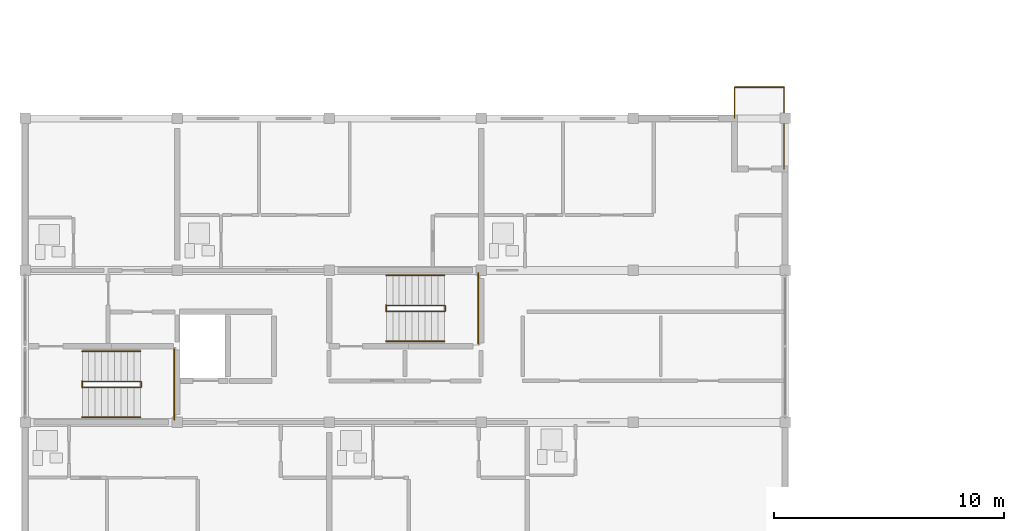
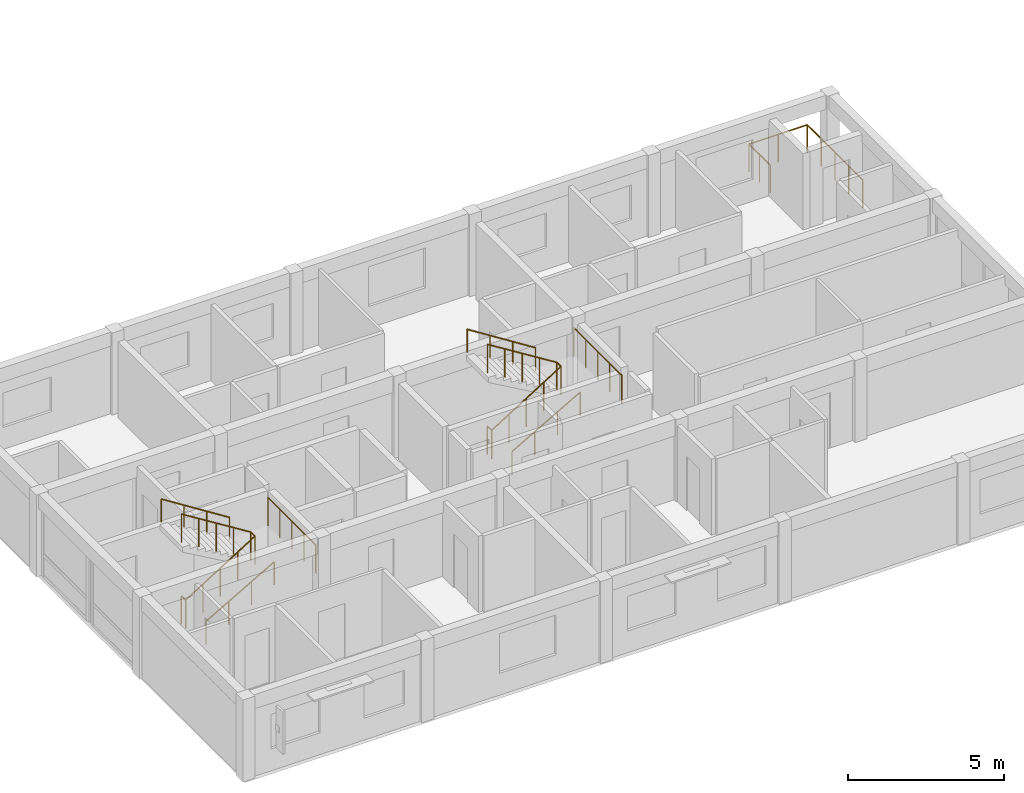
# One storey, part 34 of 37: 11 railings.
"""IFC4 building model written with IfcOpenShell, lengths in metres."""

import ifcopenshell
import ifcopenshell.guid

model = None  # the IFC model being written
_history = None  # IfcOwnerHistory: only IFC2X3 demands one
_inside = {}  # id of a spatial element -> (the spatial element, [elements in it])
_under = {}  # id of a project, library or spatial element -> (it, [spatial elements below it])
_declared = {}  # id of a project -> (the project, [libraries it declares])
_typed = {}  # id of a type object -> (the type object, [elements of that type])
_made_of = {}  # id of a material, layer set ... -> (it, [elements and type objects made of it])


def new_model(schema):
    """Start an empty IFC model of exactly this schema.

    Asked for "IFC4X3", IfcOpenShell would pick the latest addendum, in which some entities
    have other attributes; the version numbers below select the first issue.
    IFC2X3 requires an IfcOwnerHistory on every rooted entity: one is made here for all.
    """
    global model, _history
    if schema == "IFC4X3":
        model = ifcopenshell.file(schema_version=(4, 3, 0, 0))
    else:
        model = ifcopenshell.file(schema=schema)
    _inside.clear()
    _under.clear()
    _declared.clear()
    _typed.clear()
    _made_of.clear()
    _history = None
    if model.schema == "IFC2X3":
        org = make("IfcOrganization", Name="unknown")
        user = make(
            "IfcPersonAndOrganization",
            ThePerson=make("IfcPerson", FamilyName="unknown"),
            TheOrganization=org,
        )
        app = make(
            "IfcApplication",
            ApplicationDeveloper=org,
            Version="unknown",
            ApplicationFullName="unknown",
            ApplicationIdentifier="unknown",
        )
        _history = make(
            "IfcOwnerHistory",
            OwningUser=user,
            OwningApplication=app,
            ChangeAction="ADDED",
            CreationDate=0,
        )
    return model


def make(cls, **values):
    """One entity of the class cls with the attributes given. An attribute that is None is left unset."""
    return model.create_entity(
        cls, **{name: value for name, value in values.items() if value is not None}
    )


def rooted(cls, **values):
    """An entity with a GlobalId (a new one), such as an element, a storey or a relation."""
    return make(cls, GlobalId=ifcopenshell.guid.new(), OwnerHistory=_history, **values)


def si_unit(unit_type, name, prefix=None):
    """IfcSIUnit, for example si_unit("LENGTHUNIT", "METRE", prefix="MILLI")."""
    return make("IfcSIUnit", UnitType=unit_type, Prefix=prefix, Name=name)


def assignment(units):
    """IfcUnitAssignment: the units of a project."""
    return None if units is None else make("IfcUnitAssignment", Units=units)


def point(xyz):
    """IfcCartesianPoint."""
    return None if xyz is None else make("IfcCartesianPoint", Coordinates=xyz)


def direction(xyz):
    """IfcDirection."""
    return None if xyz is None else make("IfcDirection", DirectionRatios=xyz)


def frame(location, z_axis=None, x_axis=None):
    """IfcAxis2Placement3D, a coordinate frame: its origin and axes. An axis left out is left unset."""
    return make(
        "IfcAxis2Placement3D",
        Location=point(location),
        Axis=direction(z_axis),
        RefDirection=direction(x_axis),
    )


def frame_2d(location, x_axis=None):
    """IfcAxis2Placement2D, a coordinate frame in the plane: its origin and x axis."""
    return make(
        "IfcAxis2Placement2D", Location=point(location), RefDirection=direction(x_axis)
    )


def origin():
    """The frame at (0, 0, 0) with its axes left unset."""
    return frame((0.0, 0.0, 0.0))


def origin_2d():
    """The frame at (0, 0) in the plane with its x axis left unset."""
    return frame_2d((0.0, 0.0))


def place(relative_to, where):
    """IfcLocalPlacement: puts the frame where relative to a parent placement (None: the world)."""
    return make(
        "IfcLocalPlacement", PlacementRelTo=relative_to, RelativePlacement=where
    )


def context(
    kind, dimensions, precision=None, world=None, true_north=None, identifier=None
):
    """IfcGeometricRepresentationContext, for example the 3D "Model" context."""
    return make(
        "IfcGeometricRepresentationContext",
        ContextIdentifier=identifier,
        ContextType=kind,
        CoordinateSpaceDimension=dimensions,
        Precision=precision,
        WorldCoordinateSystem=world,
        TrueNorth=true_north,
    )


def subcontext(parent, identifier, kind, view, scale=None):
    """IfcGeometricRepresentationSubContext, for example "Body" below "Model"."""
    return make(
        "IfcGeometricRepresentationSubContext",
        ContextIdentifier=identifier,
        ContextType=kind,
        ParentContext=parent,
        TargetScale=scale,
        TargetView=view,
    )


def project(units=None, contexts=None):
    """IfcProject with its units and contexts."""
    return rooted(
        "IfcProject",
        Name="project",
        RepresentationContexts=contexts,
        UnitsInContext=assignment(units),
    )


def spatial(cls, under=None, at=None, **own):
    """A site, building, storey or space (cls), placed at a placement, below another one or the project."""
    s = rooted(cls, ObjectPlacement=at, **own)
    if under is not None:
        _under.setdefault(under.id(), (under, []))[1].append(s)
    return s


def profile(cls, at=None, kind="AREA", **sizes):
    """A parametric profile (cls). Its sizes go by their IFC names, for example OverallWidth=200.0."""
    return make(cls, ProfileType=kind, Position=at, **sizes)


def circle(**sizes):
    """IfcCircleProfileDef."""
    return profile("IfcCircleProfileDef", **sizes)


def extrude(swept, where, along, depth):
    """IfcExtrudedAreaSolid: the profile swept, set in the frame where, extruded along a direction by depth."""
    return make(
        "IfcExtrudedAreaSolid",
        SweptArea=swept,
        Position=where,
        ExtrudedDirection=direction(along),
        Depth=depth,
    )


def shape(context_of_items, identifier, shape_type, items):
    """IfcShapeRepresentation: the items that make up one representation, for example the "Body"."""
    return make(
        "IfcShapeRepresentation",
        ContextOfItems=context_of_items,
        RepresentationIdentifier=identifier,
        RepresentationType=shape_type,
        Items=items,
    )


def material(Name=None, Category=None):
    """IfcMaterial."""
    return make("IfcMaterial", Name=Name, Category=Category)


def made_of(thing, what):
    """Note that an element or type object is made of a material, layer set ...; save() writes the relation."""
    if what is not None:
        _made_of.setdefault(what.id(), (what, []))[1].append(thing)
    return thing


def type_object(cls, material=None, **own):
    """A type object (cls), such as IfcWallType, which elements share."""
    return made_of(rooted(cls, **own), material)


def element(
    cls,
    number,
    at=None,
    inside=None,
    cuts=None,
    type_object=None,
    material=None,
    context=None,
    identifier="Body",
    shape_type=None,
    held_by="IfcProductDefinitionShape",
    body=None,
    shapes=None,
    **own,
):
    """One element of the class cls, such as IfcWall. Its Tag is "e" and its number.

    at: its placement. inside: the storey or other place that contains it. cuts: it is an
    opening in that element (IfcRelVoidsElement). A single representation is given by context,
    identifier, shape_type and body (its items); several are given by shapes. held_by: the class
    of the entity that holds the representations. save() writes the other relations.
    """
    e = rooted(cls, Tag="e%d" % number, ObjectPlacement=at, **own)
    if body is not None:
        shapes = [shape(context, identifier, shape_type, body)]
    if shapes is not None:
        e.Representation = make(held_by, Representations=shapes)
    if inside is not None:
        _inside.setdefault(inside.id(), (inside, []))[1].append(e)
    if cuts is not None:
        rooted(
            "IfcRelVoidsElement", RelatingBuildingElement=cuts, RelatedOpeningElement=e
        )
    if type_object is not None:
        _typed.setdefault(type_object.id(), (type_object, []))[1].append(e)
    return made_of(e, material)


def aggregate(whole, parts):
    """IfcRelAggregates: a whole, such as a stair, and the parts it consists of."""
    return rooted("IfcRelAggregates", RelatingObject=whole, RelatedObjects=parts)


def save(model, path):
    """Write the relations noted so far, then the file.

    IfcRelAggregates (storeys below a building ...), IfcRelContainedInSpatialStructure (elements
    in a storey), IfcRelDefinesByType, IfcRelAssociatesMaterial and IfcRelDeclares: one each for
    every whole, place, type object, material and project.
    """
    for whole, parts in _under.values():
        aggregate(whole, parts)
    for where, things in _inside.values():
        rooted(
            "IfcRelContainedInSpatialStructure",
            RelatedElements=things,
            RelatingStructure=where,
        )
    for kind, things in _typed.values():
        rooted("IfcRelDefinesByType", RelatedObjects=things, RelatingType=kind)
    for what, things in _made_of.values():
        rooted("IfcRelAssociatesMaterial", RelatedObjects=things, RelatingMaterial=what)
    for by, libraries in _declared.values():
        rooted("IfcRelDeclares", RelatingContext=by, RelatedDefinitions=libraries)
    model.write(path)


model = new_model("IFC4")

# Units and contexts
model_context = context("Model", 3, precision=1e-05, world=origin(), true_north=direction((0.0, 1.0)))
body_context = subcontext(model_context, "Body", "Model", "MODEL_VIEW")
ifc_project = project(units=[si_unit("LENGTHUNIT", "METRE"), si_unit("AREAUNIT", "SQUARE_METRE"), si_unit("VOLUMEUNIT", "CUBIC_METRE"), si_unit("PLANEANGLEUNIT", "RADIAN"), si_unit("MASSUNIT", "GRAM", prefix="KILO")], contexts=[model_context])

# Site, building, storey
site_placement = place(None, origin())
site = spatial("IfcSite", under=ifc_project, at=site_placement, CompositionType="ELEMENT")
building_placement = place(site_placement, origin())
building = spatial("IfcBuilding", under=site, at=building_placement, Name="Kernevlak Ridge Housing Community", CompositionType="ELEMENT")
storey_placement = place(building_placement, frame((0.0, 0.0, 37.199951171875)))
storey = spatial("IfcBuildingStorey", under=building, at=storey_placement, Name="L11", CompositionType="ELEMENT", Elevation=37.199951171875)

# Railings
ifc_material_1 = material(Name="Steel S355", Category="steel")
railing_type_1 = type_object("IfcRailingType", Name="BL-01", PredefinedType="BALUSTRADE", material=ifc_material_1)
railing_1_placement = place(storey_placement, frame((46.39990234375, 95.800048828125, 0.0)))
element("IfcRailing", 1, at=railing_1_placement, inside=storey, type_object=railing_type_1, Name="Block A L11 balcony balustrade BL-01 11", PredefinedType="BALUSTRADE", context=body_context, shape_type="SweptSolid", body=[
    extrude(circle(Radius=0.02392578125, at=origin_2d()), frame((0.0, 0.0, 1.076171875), z_axis=(0.0, 1.0, 0.0), x_axis=(-1.0, 0.0, 0.0)), (0.0, 0.0, 1.0), 1.349853515625),
    extrude(circle(Radius=0.02392578125, at=origin_2d()), frame((0.0, 1.349853515625, 1.076171875), z_axis=(1.0, 0.0, 0.0), x_axis=(0.0, 1.0, 0.0)), (0.0, 0.0, 1.0), 2.150146484375),
    extrude(circle(Radius=0.02392578125, at=origin_2d()), frame((2.150146484375, 1.349853515625, 1.076171875), z_axis=(0.0, -1.0, 0.0), x_axis=(1.0, 0.0, 0.0)), (0.0, 0.0, 1.0), 3.5498046875),
    extrude(circle(Radius=0.02099609375, at=origin_2d()), origin(), (0.0, 0.0, 1.0), 1.052001953125),
    extrude(circle(Radius=0.02099609375, at=origin_2d()), frame((0.0, 0.6748046875, 0.0)), (0.0, 0.0, 1.0), 1.052001953125),
    extrude(circle(Radius=0.02099609375, at=origin_2d()), frame((0.0, 1.349853515625, 0.0)), (0.0, 0.0, 1.0), 1.052001953125),
    extrude(circle(Radius=0.02099609375, at=origin_2d()), frame((1.0751953125, 1.349853515625, 0.0)), (0.0, 0.0, 1.0), 1.052001953125),
    extrude(circle(Radius=0.02099609375, at=origin_2d()), frame((2.150146484375, 1.349853515625, 0.0)), (0.0, 0.0, 1.0), 1.052001953125),
    extrude(circle(Radius=0.02099609375, at=origin_2d()), frame((2.150146484375, 0.46240234375, 0.0)), (0.0, 0.0, 1.0), 1.052001953125),
    extrude(circle(Radius=0.02099609375, at=origin_2d()), frame((2.150146484375, -0.425048828125, 0.0)), (0.0, 0.0, 1.0), 1.052001953125),
    extrude(circle(Radius=0.02099609375, at=origin_2d()), frame((2.150146484375, -1.3125, 0.0)), (0.0, 0.0, 1.0), 1.052001953125),
    extrude(circle(Radius=0.02099609375, at=origin_2d()), frame((2.150146484375, -2.199951171875, 0.0)), (0.0, 0.0, 1.0), 1.052001953125),
])
railing_type_2 = type_object("IfcRailingType", Name="GR-02", PredefinedType="GUARDRAIL", material=ifc_material_1)
railing_2_placement = place(storey_placement, frame((18.080078125, 84.110107421875, 0.0)))
element("IfcRailing", 2, at=railing_2_placement, inside=storey, type_object=railing_type_2, Name="Stair ST-A1 L11 well slot guard", PredefinedType="GUARDRAIL", context=body_context, shape_type="SweptSolid", body=[
    extrude(circle(Radius=0.02392578125, at=origin_2d()), frame((0.0, 0.0, 1.09619140625), z_axis=(0.0, 1.0, 0.0), x_axis=(-1.0, 0.0, 0.0)), (0.0, 0.0, 1.0), 0.27978515625),
    extrude(circle(Radius=0.02099609375, at=origin_2d()), origin(), (0.0, 0.0, 1.0), 1.072021484375),
    extrude(circle(Radius=0.02099609375, at=origin_2d()), frame((0.0, 0.27978515625, 0.0)), (0.0, 0.0, 1.0), 1.072021484375),
])
railing_3_placement = place(storey_placement, frame((18.080078125, 84.1201171875, 0.0)))
element("IfcRailing", 3, at=railing_3_placement, inside=storey, type_object=railing_type_2, Name="Stair ST-A1 L11 inner well guardrail", PredefinedType="GUARDRAIL", context=body_context, shape_type="SweptSolid", body=[
    extrude(circle(Radius=0.02392578125, at=origin_2d()), frame((0.0, 0.0, 1.09619140625), z_axis=(0.847966497998, 0.0, 0.530049826217), x_axis=(0.0, 1.0, 0.0)), (0.0, 0.0, 1.0), 3.018798828125),
    extrude(circle(Radius=0.02392578125, at=origin_2d()), frame((2.559814453125, 0.0, 2.6962890625), z_axis=(0.0, 1.0, 0.0), x_axis=(-1.0, 0.0, 0.0)), (0.0, 0.0, 1.0), 0.259765625),
    extrude(circle(Radius=0.02392578125, at=origin_2d()), frame((2.559814453125, 0.259765625, 2.6962890625), z_axis=(-0.848002847666, 0.0, 0.529991670077), x_axis=(0.0, -1.0, 0.0)), (0.0, 0.0, 1.0), 3.0185546875),
    extrude(circle(Radius=0.02099609375, at=origin_2d()), origin(), (0.0, 0.0, 1.0), 1.072021484375),
    extrude(circle(Radius=0.02099609375, at=origin_2d()), frame((0.639892578125, 0.0, 0.39990234375)), (0.0, 0.0, 1.0), 1.072021484375),
    extrude(circle(Radius=0.02099609375, at=origin_2d()), frame((1.27978515625, 0.0, 0.800048828125)), (0.0, 0.0, 1.0), 1.072021484375),
    extrude(circle(Radius=0.02099609375, at=origin_2d()), frame((1.919921875, 0.0, 1.2001953125)), (0.0, 0.0, 1.0), 1.072021484375),
    extrude(circle(Radius=0.02099609375, at=origin_2d()), frame((2.559814453125, 0.0, 1.60009765625)), (0.0, 0.0, 1.0), 1.072021484375),
    extrude(circle(Radius=0.02099609375, at=origin_2d()), frame((2.559814453125, 0.259765625, 1.60009765625)), (0.0, 0.0, 1.0), 1.072021484375),
    extrude(circle(Radius=0.02099609375, at=origin_2d()), frame((1.919921875, 0.259765625, 2.0)), (0.0, 0.0, 1.0), 1.072021484375),
    extrude(circle(Radius=0.02099609375, at=origin_2d()), frame((1.27978515625, 0.259765625, 2.39990234375)), (0.0, 0.0, 1.0), 1.072021484375),
    extrude(circle(Radius=0.02099609375, at=origin_2d()), frame((0.639892578125, 0.259765625, 2.800048828125)), (0.0, 0.0, 1.0), 1.072021484375),
    extrude(circle(Radius=0.02099609375, at=origin_2d()), frame((0.0, 0.259765625, 3.199951171875)), (0.0, 0.0, 1.0), 1.072021484375),
])
railing_4_placement = place(storey_placement, frame((22.080078125, 82.719970703125, 1.60009765625)))
element("IfcRailing", 4, at=railing_4_placement, inside=storey, type_object=railing_type_2, Name="Stair ST-A1 L11 half-landing guard", PredefinedType="GUARDRAIL", context=body_context, shape_type="SweptSolid", body=[
    extrude(circle(Radius=0.02392578125, at=origin_2d()), frame((0.0, 0.0, 1.09619140625), z_axis=(0.0, 1.0, 0.0), x_axis=(-1.0, 0.0, 0.0)), (0.0, 0.0, 1.0), 3.06005859375),
    extrude(circle(Radius=0.02099609375, at=origin_2d()), origin(), (0.0, 0.0, 1.0), 1.072021484375),
    extrude(circle(Radius=0.02099609375, at=origin_2d()), frame((0.0, 0.76513671875, 0.0)), (0.0, 0.0, 1.0), 1.072021484375),
    extrude(circle(Radius=0.02099609375, at=origin_2d()), frame((0.0, 1.530029296875, 0.0)), (0.0, 0.0, 1.0), 1.072021484375),
    extrude(circle(Radius=0.02099609375, at=origin_2d()), frame((0.0, 2.294921875, 0.0)), (0.0, 0.0, 1.0), 1.072021484375),
    extrude(circle(Radius=0.02099609375, at=origin_2d()), frame((0.0, 3.06005859375, 0.0)), (0.0, 0.0, 1.0), 1.072021484375),
])
railing_5_placement = place(storey_placement, frame((31.280029296875, 87.409912109375, 0.0)))
element("IfcRailing", 5, at=railing_5_placement, inside=storey, type_object=railing_type_2, Name="Stair ST-A2 L11 well slot guard", PredefinedType="GUARDRAIL", context=body_context, shape_type="SweptSolid", body=[
    extrude(circle(Radius=0.02392578125, at=origin_2d()), frame((0.0, 0.0, 1.09619140625), z_axis=(0.0, 1.0, 0.0), x_axis=(-1.0, 0.0, 0.0)), (0.0, 0.0, 1.0), 0.280029296875),
    extrude(circle(Radius=0.02099609375, at=origin_2d()), origin(), (0.0, 0.0, 1.0), 1.072021484375),
    extrude(circle(Radius=0.02099609375, at=origin_2d()), frame((0.0, 0.280029296875, 0.0)), (0.0, 0.0, 1.0), 1.072021484375),
])
railing_6_placement = place(storey_placement, frame((31.280029296875, 87.419921875, 0.0)))
element("IfcRailing", 6, at=railing_6_placement, inside=storey, type_object=railing_type_2, Name="Stair ST-A2 L11 inner well guardrail", PredefinedType="GUARDRAIL", context=body_context, shape_type="SweptSolid", body=[
    extrude(circle(Radius=0.02392578125, at=origin_2d()), frame((0.0, 0.0, 1.09619140625), z_axis=(0.847989217509, 0.0, 0.530013478119), x_axis=(0.0, 1.0, 0.0)), (0.0, 0.0, 1.0), 3.01904296875),
    extrude(circle(Radius=0.02392578125, at=origin_2d()), frame((2.56005859375, 0.0, 2.6962890625), z_axis=(0.0, 1.0, 0.0), x_axis=(-1.0, 0.0, 0.0)), (0.0, 0.0, 1.0), 0.260009765625),
    extrude(circle(Radius=0.02392578125, at=origin_2d()), frame((2.56005859375, 0.260009765625, 2.6962890625), z_axis=(-0.848025563165, 0.0, 0.529955322851), x_axis=(0.0, -1.0, 0.0)), (0.0, 0.0, 1.0), 3.018798828125),
    extrude(circle(Radius=0.02099609375, at=origin_2d()), origin(), (0.0, 0.0, 1.0), 1.072021484375),
    extrude(circle(Radius=0.02099609375, at=origin_2d()), frame((0.64013671875, 0.0, 0.39990234375)), (0.0, 0.0, 1.0), 1.072021484375),
    extrude(circle(Radius=0.02099609375, at=origin_2d()), frame((1.280029296875, 0.0, 0.800048828125)), (0.0, 0.0, 1.0), 1.072021484375),
    extrude(circle(Radius=0.02099609375, at=origin_2d()), frame((1.919921875, 0.0, 1.2001953125)), (0.0, 0.0, 1.0), 1.072021484375),
    extrude(circle(Radius=0.02099609375, at=origin_2d()), frame((2.56005859375, 0.0, 1.60009765625)), (0.0, 0.0, 1.0), 1.072021484375),
    extrude(circle(Radius=0.02099609375, at=origin_2d()), frame((2.56005859375, 0.260009765625, 1.60009765625)), (0.0, 0.0, 1.0), 1.072021484375),
    extrude(circle(Radius=0.02099609375, at=origin_2d()), frame((1.919921875, 0.260009765625, 2.0)), (0.0, 0.0, 1.0), 1.072021484375),
    extrude(circle(Radius=0.02099609375, at=origin_2d()), frame((1.280029296875, 0.260009765625, 2.39990234375)), (0.0, 0.0, 1.0), 1.072021484375),
    extrude(circle(Radius=0.02099609375, at=origin_2d()), frame((0.64013671875, 0.260009765625, 2.800048828125)), (0.0, 0.0, 1.0), 1.072021484375),
    extrude(circle(Radius=0.02099609375, at=origin_2d()), frame((0.0, 0.260009765625, 3.199951171875)), (0.0, 0.0, 1.0), 1.072021484375),
])
railing_7_placement = place(storey_placement, frame((35.280029296875, 86.02001953125, 1.60009765625)))
element("IfcRailing", 7, at=railing_7_placement, inside=storey, type_object=railing_type_2, Name="Stair ST-A2 L11 half-landing guard", PredefinedType="GUARDRAIL", context=body_context, shape_type="SweptSolid", body=[
    extrude(circle(Radius=0.02392578125, at=origin_2d()), frame((0.0, 0.0, 1.09619140625), z_axis=(0.0, 1.0, 0.0), x_axis=(-1.0, 0.0, 0.0)), (0.0, 0.0, 1.0), 3.06005859375),
    extrude(circle(Radius=0.02099609375, at=origin_2d()), origin(), (0.0, 0.0, 1.0), 1.072021484375),
    extrude(circle(Radius=0.02099609375, at=origin_2d()), frame((0.0, 0.76513671875, 0.0)), (0.0, 0.0, 1.0), 1.072021484375),
    extrude(circle(Radius=0.02099609375, at=origin_2d()), frame((0.0, 1.530029296875, 0.0)), (0.0, 0.0, 1.0), 1.072021484375),
    extrude(circle(Radius=0.02099609375, at=origin_2d()), frame((0.0, 2.294921875, 0.0)), (0.0, 0.0, 1.0), 1.072021484375),
    extrude(circle(Radius=0.02099609375, at=origin_2d()), frame((0.0, 3.06005859375, 0.0)), (0.0, 0.0, 1.0), 1.072021484375),
])
ifc_material_2 = material(Name="Stainless steel EN 1.4401", Category="steel")
railing_type_3 = type_object("IfcRailingType", Name="HR-01", PredefinedType="HANDRAIL", material=ifc_material_2)
railing_8_placement = place(storey_placement, frame((18.080078125, 82.820068359375, 0.16015625)))
element("IfcRailing", 8, at=railing_8_placement, inside=storey, type_object=railing_type_3, Name="Stair ST-A1 L11 flight 1 handrail", PredefinedType="HANDRAIL", context=body_context, shape_type="SweptSolid", body=[
    extrude(circle(Radius=0.02392578125, at=origin_2d()), frame((0.0, 0.0, 0.89599609375), z_axis=(0.868253494771, 0.0, 0.496120820787), x_axis=(0.0, 1.0, 0.0)), (0.0, 0.0, 1.0), 2.90234375),
    extrude(circle(Radius=0.02099609375, at=origin_2d()), origin(), (0.0, 0.0, 1.0), 0.871826171875),
    extrude(circle(Radius=0.02099609375, at=origin_2d()), frame((0.840087890625, 0.0, 0.47998046875)), (0.0, 0.0, 1.0), 0.871826171875),
    extrude(circle(Radius=0.02099609375, at=origin_2d()), frame((1.679931640625, 0.0, 0.9599609375)), (0.0, 0.0, 1.0), 0.871826171875),
    extrude(circle(Radius=0.02099609375, at=origin_2d()), frame((2.52001953125, 0.0, 1.43994140625)), (0.0, 0.0, 1.0), 0.871826171875),
])
railing_9_placement = place(storey_placement, frame((20.60009765625, 85.679931640625, 1.60009765625)))
element("IfcRailing", 9, at=railing_9_placement, inside=storey, type_object=railing_type_3, Name="Stair ST-A1 L11 flight 2 handrail", PredefinedType="HANDRAIL", context=body_context, shape_type="SweptSolid", body=[
    extrude(circle(Radius=0.02392578125, at=origin_2d()), frame((0.0, 0.0, 0.89599609375), z_axis=(-0.84423690053, 0.0, 0.535970200462), x_axis=(0.0, -1.0, 0.0)), (0.0, 0.0, 1.0), 2.98486328125),
    extrude(circle(Radius=0.02099609375, at=origin_2d()), origin(), (0.0, 0.0, 1.0), 0.871826171875),
    extrude(circle(Radius=0.02099609375, at=origin_2d()), frame((-0.840087890625, 0.0, 0.533203125)), (0.0, 0.0, 1.0), 0.871826171875),
    extrude(circle(Radius=0.02099609375, at=origin_2d()), frame((-1.679931640625, 0.0, 1.066650390625)), (0.0, 0.0, 1.0), 0.871826171875),
    extrude(circle(Radius=0.02099609375, at=origin_2d()), frame((-2.52001953125, 0.0, 1.599853515625)), (0.0, 0.0, 1.0), 0.871826171875),
])
railing_10_placement = place(storey_placement, frame((31.280029296875, 86.1201171875, 0.16015625)))
element("IfcRailing", 10, at=railing_10_placement, inside=storey, type_object=railing_type_3, Name="Stair ST-A2 L11 flight 1 handrail", PredefinedType="HANDRAIL", context=body_context, shape_type="SweptSolid", body=[
    extrude(circle(Radius=0.02392578125, at=origin_2d()), frame((0.0, 0.0, 0.89599609375), z_axis=(0.868253494771, 0.0, 0.496120820787), x_axis=(0.0, 1.0, 0.0)), (0.0, 0.0, 1.0), 2.90234375),
    extrude(circle(Radius=0.02099609375, at=origin_2d()), origin(), (0.0, 0.0, 1.0), 0.871826171875),
    extrude(circle(Radius=0.02099609375, at=origin_2d()), frame((0.840087890625, 0.0, 0.47998046875)), (0.0, 0.0, 1.0), 0.871826171875),
    extrude(circle(Radius=0.02099609375, at=origin_2d()), frame((1.679931640625, 0.0, 0.9599609375)), (0.0, 0.0, 1.0), 0.871826171875),
    extrude(circle(Radius=0.02099609375, at=origin_2d()), frame((2.52001953125, 0.0, 1.43994140625)), (0.0, 0.0, 1.0), 0.871826171875),
])
railing_11_placement = place(storey_placement, frame((33.800048828125, 88.97998046875, 1.60009765625)))
element("IfcRailing", 11, at=railing_11_placement, inside=storey, type_object=railing_type_3, Name="Stair ST-A2 L11 flight 2 handrail", PredefinedType="HANDRAIL", context=body_context, shape_type="SweptSolid", body=[
    extrude(circle(Radius=0.02392578125, at=origin_2d()), frame((0.0, 0.0, 0.89599609375), z_axis=(-0.84423690053, 0.0, 0.535970200462), x_axis=(0.0, -1.0, 0.0)), (0.0, 0.0, 1.0), 2.98486328125),
    extrude(circle(Radius=0.02099609375, at=origin_2d()), origin(), (0.0, 0.0, 1.0), 0.871826171875),
    extrude(circle(Radius=0.02099609375, at=origin_2d()), frame((-0.840087890625, 0.0, 0.533203125)), (0.0, 0.0, 1.0), 0.871826171875),
    extrude(circle(Radius=0.02099609375, at=origin_2d()), frame((-1.679931640625, 0.0, 1.066650390625)), (0.0, 0.0, 1.0), 0.871826171875),
    extrude(circle(Radius=0.02099609375, at=origin_2d()), frame((-2.52001953125, 0.0, 1.599853515625)), (0.0, 0.0, 1.0), 0.871826171875),
])

save(model, "model.ifc")
